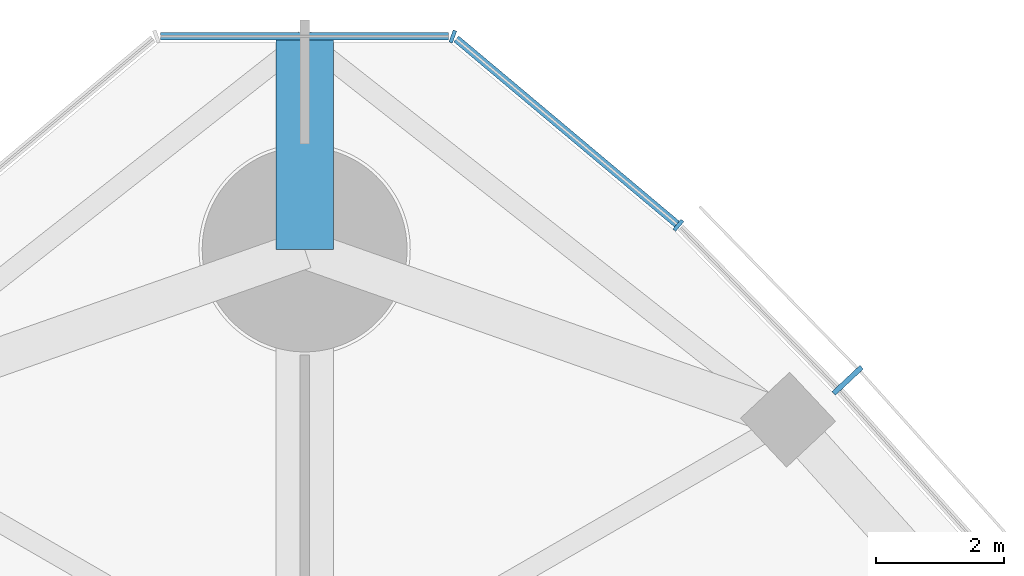
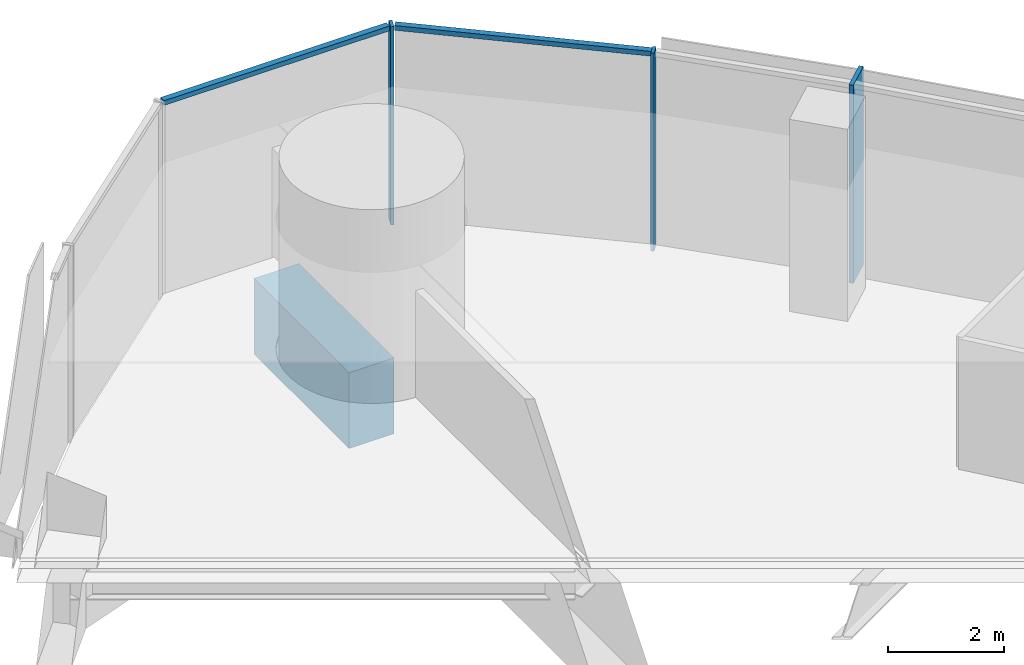
# One storey, part 8 of 19: 5 members, 1 beam, 2 elements without a shape of their own.
"""IFC4 building model written with IfcOpenShell, lengths in metres."""

from ifc_helpers import new_model, si_unit, direction, frame, origin, origin_2d, place, context, subcontext, project, spatial, rectangle, extrude, material, material_profile, profile_set, type_object, element, aggregate, save


model = new_model("IFC4")

# Units and contexts
model_context = context("Model", 3, precision=1e-05, world=origin(), true_north=direction((0.0, 1.0)))
body_context = subcontext(model_context, "Body", "Model", "MODEL_VIEW")
ifc_project = project(units=[si_unit("LENGTHUNIT", "METRE"), si_unit("AREAUNIT", "SQUARE_METRE"), si_unit("VOLUMEUNIT", "CUBIC_METRE"), si_unit("PLANEANGLEUNIT", "RADIAN"), si_unit("MASSUNIT", "GRAM", prefix="KILO")], contexts=[model_context])

# Site, building, storey
site_placement = place(None, origin())
site = spatial("IfcSite", under=ifc_project, at=site_placement, CompositionType="ELEMENT")
building_placement = place(site_placement, origin())
building = spatial("IfcBuilding", under=site, at=building_placement, Name="Trefoil Bronze Tower", CompositionType="ELEMENT")
storey_placement = place(building_placement, frame((0.0, 0.0, 235.89990234375)))
storey = spatial("IfcBuildingStorey", under=building, at=storey_placement, Name="L54", CompositionType="ELEMENT", Elevation=235.89990234375)

# Curtain wall, member
ifc_material_1 = material(Name="Tinted solar-control glass", Category="glass")
curtain_wall_type_1 = type_object("IfcCurtainWallType", Name="Bronze office curtain wall", PredefinedType="USERDEFINED", material=ifc_material_1)
curtain_wall_1_placement = place(storey_placement, origin())
curtain_wall_1 = element("IfcCurtainWall", 1, at=curtain_wall_1_placement, inside=storey, type_object=curtain_wall_type_1, Name="CW-A L54 F2", ObjectType="CURTAIN WALL", PredefinedType="USERDEFINED")
ifc_material_2 = material(Name="Bronze-finish aluminium", Category="aluminium")
ifc_material_profile_1 = material_profile(ifc_material_2, rectangle(XDim=0.60009765625, YDim=0.080078125, at=origin_2d()), Name="CW-A mullion")
ifc_profile_set_1 = profile_set([ifc_material_profile_1], Name="Bronze-finish aluminium")
member_type_1 = type_object("IfcMemberType", Name="Bronze office curtain wall mullion", PredefinedType="MULLION", material=ifc_profile_set_1)
member_1_placement = place(storey_placement, frame((8.482177734375, 30.95654296875, 0.0), z_axis=(0.0, 0.0, 1.0), x_axis=(-0.729859580661, -0.683597098091, 0.0)))
member_1 = element("IfcMember", 2, at=member_1_placement, type_object=member_type_1, Name="CW-A L54 F2 mullion 12", PredefinedType="MULLION", context=body_context, shape_type="SweptSolid", body=[
    extrude(rectangle(XDim=0.60009765625, YDim=0.080078125, at=origin_2d()), origin(), (0.0, 0.0, 1.0), 4.18017578125),
])
aggregate(curtain_wall_1, [member_1])

# Curtain wall, members
ifc_material_3 = material(Name="Tinted solar-control glass", Category="glass")
curtain_wall_type_2 = type_object("IfcCurtainWallType", Name="Bronze rounded corner curtain wall", PredefinedType="USERDEFINED", material=ifc_material_3)
curtain_wall_2_placement = place(storey_placement, origin())
curtain_wall_2 = element("IfcCurtainWall", 3, at=curtain_wall_2_placement, inside=storey, type_object=curtain_wall_type_2, Name="CW-B L54 K2", ObjectType="CURTAIN WALL", PredefinedType="USERDEFINED")
ifc_material_4 = material(Name="Bronze-finish aluminium", Category="aluminium")
ifc_material_profile_2 = material_profile(ifc_material_4, rectangle(XDim=0.199951171875, YDim=0.06005859375, at=origin_2d()), Name="CW-B mullion")
ifc_profile_set_2 = profile_set([ifc_material_profile_2], Name="Bronze-finish aluminium")
member_type_2 = type_object("IfcMemberType", Name="Bronze rounded corner curtain wall mullion", PredefinedType="MULLION", material=ifc_profile_set_2)
member_2_placement = place(storey_placement, frame((5.837890625, 33.3779296875, 0.0), z_axis=(0.0, 0.0, 1.0), x_axis=(-0.642787609687, -0.766044443119, 0.0)))
member_2 = element("IfcMember", 4, at=member_2_placement, type_object=member_type_2, Name="CW-B L54 K2 mullion 1", PredefinedType="MULLION", context=body_context, shape_type="SweptSolid", body=[
    extrude(rectangle(XDim=0.199951171875, YDim=0.06005859375, at=origin_2d()), origin(), (0.0, 0.0, 1.0), 4.18017578125),
])
member_3_placement = place(storey_placement, frame((2.314453125, 36.326416015625, 0.0), z_axis=(0.0, 0.0, 1.0), x_axis=(-0.342020143326, -0.939692620786, 0.0)))
member_3 = element("IfcMember", 5, at=member_3_placement, type_object=member_type_2, Name="CW-B L54 K2 mullion 2", PredefinedType="MULLION", context=body_context, shape_type="SweptSolid", body=[
    extrude(rectangle(XDim=0.199951171875, YDim=0.06005859375, at=origin_2d()), origin(), (0.0, 0.0, 1.0), 4.18017578125),
])
ifc_material_5 = material(Name="Bronze-finish aluminium", Category="aluminium")
ifc_material_profile_3 = material_profile(ifc_material_5, rectangle(XDim=0.1201171875, YDim=0.10009765625, at=origin_2d()), Name="CW-B transom")
ifc_profile_set_3 = profile_set([ifc_material_profile_3], Name="Bronze-finish aluminium")
member_type_3 = type_object("IfcMemberType", Name="Bronze rounded corner curtain wall transom", PredefinedType="USERDEFINED", material=ifc_profile_set_3)
member_4_placement = place(storey_placement, frame((5.814697265625, 33.397216796875, 4.130126953125), z_axis=(-0.766046761698, 0.642784846501, 0.0), x_axis=(-0.642784846501, -0.766046761698, 0.0)))
member_4 = element("IfcMember", 6, at=member_4_placement, type_object=member_type_3, Name="CW-B L54 K2 transom 1", ObjectType="TRANSOM", PredefinedType="USERDEFINED", context=body_context, shape_type="SweptSolid", body=[
    extrude(rectangle(XDim=0.1201171875, YDim=0.10009765625, at=origin_2d()), origin(), (0.0, 0.0, 1.0), 4.5),
])
member_5_placement = place(storey_placement, frame((2.250244140625, 36.33251953125, 4.130126953125), z_axis=(-1.0, 0.0, 0.0), x_axis=(0.0, -1.0, 0.0)))
member_5 = element("IfcMember", 7, at=member_5_placement, type_object=member_type_3, Name="CW-B L54 K2 transom 2", ObjectType="TRANSOM", PredefinedType="USERDEFINED", context=body_context, shape_type="SweptSolid", body=[
    extrude(rectangle(XDim=0.1201171875, YDim=0.10009765625, at=origin_2d()), origin(), (0.0, 0.0, 1.0), 4.50048828125),
])
aggregate(curtain_wall_2, [member_2, member_3, member_4, member_5])

# Beam
ifc_material_6 = material(Name="Concrete B80", Category="concrete")
ifc_material_profile_4 = material_profile(ifc_material_6, rectangle(XDim=0.89990234375, YDim=1.60009765625, at=origin_2d()), Name="RC 900x1600")
ifc_profile_set_4 = profile_set([ifc_material_profile_4], Name="Concrete B80")
beam_type = type_object("IfcBeamType", Name="Corner cantilever RC 900x1600", PredefinedType="BEAM", material=ifc_profile_set_4)
beam_placement = place(storey_placement, frame((0.0, 33.0, -1.0), z_axis=(0.0, 1.0, 0.0), x_axis=(-1.0, 0.0, 0.0)))
element("IfcBeam", 8, at=beam_placement, inside=storey, type_object=beam_type, Name="Corner cantilever K2 L54", PredefinedType="BEAM", context=body_context, shape_type="SweptSolid", body=[
    extrude(rectangle(XDim=0.89990234375, YDim=1.60009765625, at=origin_2d()), origin(), (0.0, 0.0, 1.0), 3.28466796875),
])

save(model, "model.ifc")
